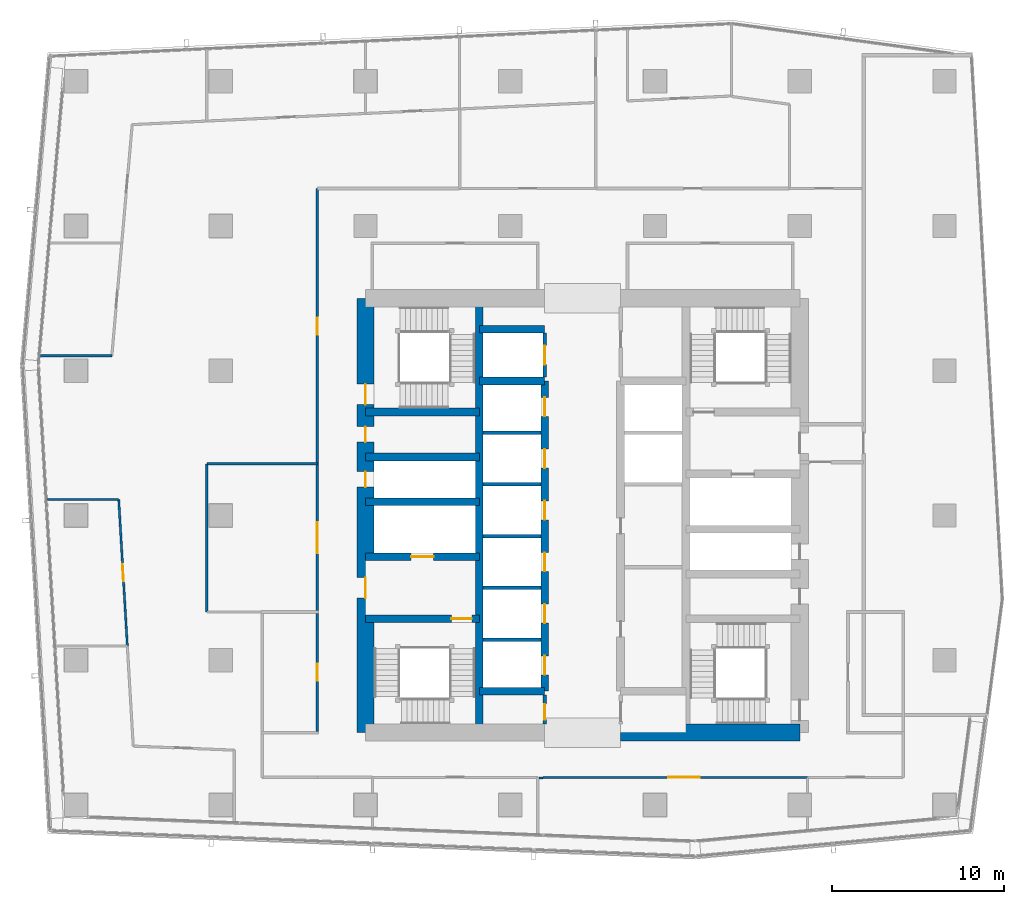
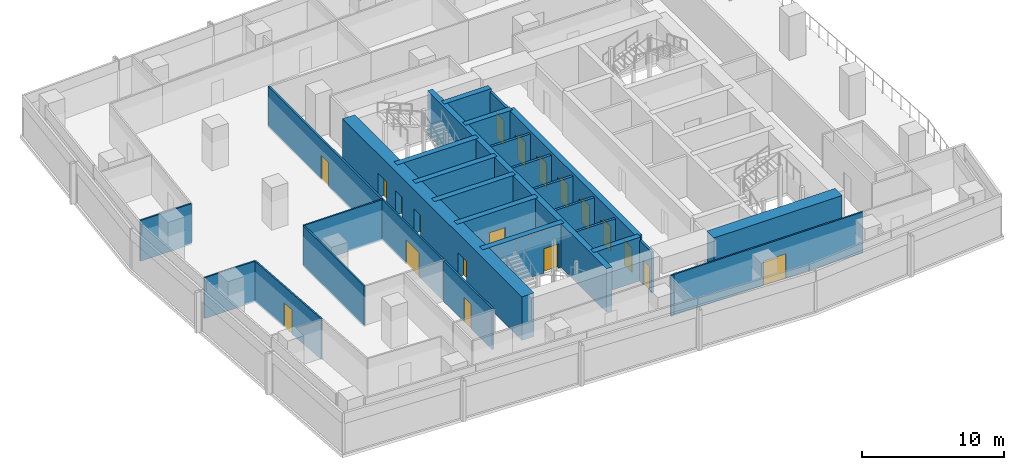
# One storey, part 23 of 33: 29 walls, 19 doors, 19 openings.
"""IFC4 building model written with IfcOpenShell, lengths in metres."""

from ifc_helpers import new_model, si_unit, direction, frame, frame_2d, origin, place, context, subcontext, project, spatial, rectangle, extrude, material, layer, layer_set, type_object, element, fill, save


model = new_model("IFC4")

# Units and contexts
model_context = context("Model", 3, precision=1e-05, world=origin(), true_north=direction((0.0, 1.0)))
body_context = subcontext(model_context, "Body", "Model", "MODEL_VIEW")
ifc_project = project(units=[si_unit("LENGTHUNIT", "METRE"), si_unit("AREAUNIT", "SQUARE_METRE"), si_unit("VOLUMEUNIT", "CUBIC_METRE"), si_unit("PLANEANGLEUNIT", "RADIAN"), si_unit("MASSUNIT", "GRAM", prefix="KILO")], contexts=[model_context])

# Site, building, storey
site_placement = place(None, origin())
site = spatial("IfcSite", under=ifc_project, at=site_placement, CompositionType="ELEMENT")
building_placement = place(site_placement, origin())
building = spatial("IfcBuilding", under=site, at=building_placement, Name="Rekha Terrace Tower", CompositionType="ELEMENT")
storey_placement = place(building_placement, frame((0.0, 0.0, 206.449951171875)))
storey = spatial("IfcBuildingStorey", under=building, at=storey_placement, Name="L52", CompositionType="ELEMENT", Elevation=206.449951171875)

# Wall
ifc_material_1 = material(Name="Concrete M60", Category="concrete")
ifc_layer_1 = layer(ifc_material_1, 0.449951171875)
ifc_layer_set_1 = layer_set([ifc_layer_1], Name="Concrete M60")
wall_type_1 = type_object("IfcWallType", Name="CI3 450 core internal shear wall", PredefinedType="SHEAR", material=ifc_layer_set_1)
wall_1_placement = place(storey_placement, frame((31.800048828125, 21.0, 0.0), z_axis=(0.0, 0.0, 1.0), x_axis=(0.0, 1.0, 0.0)))
element("IfcWall", 1, at=wall_1_placement, inside=storey, type_object=wall_type_1, Name="Core wall X318 L52", PredefinedType="SHEAR", context=body_context, shape_type="SweptSolid", body=[
    extrude(rectangle(XDim=25.199951171875, YDim=0.449951171875, at=frame_2d((12.60009765625, 0.0))), origin(), (0.0, 0.0, 1.0), 3.75),
])

# Wall, openings, doors
wall_2_placement = place(storey_placement, frame((35.60009765625, 23.39990234375, 0.0), z_axis=(0.0, 0.0, 1.0), x_axis=(0.0, 1.0, 0.0)))
wall_2 = element("IfcWall", 2, at=wall_2_placement, inside=storey, type_object=wall_type_1, Name="Core wall X356 L52", PredefinedType="SHEAR", context=body_context, shape_type="SweptSolid", body=[
    extrude(rectangle(XDim=18.0, YDim=0.449951171875, at=frame_2d((9.0, 0.0))), origin(), (0.0, 0.0, 1.0), 3.75),
])
opening_1_placement = place(wall_2_placement, frame((0.949951171875, 0.0, 0.0)))
opening_1 = element("IfcOpeningElement", 3, at=opening_1_placement, cuts=wall_2, Name="Opening LD1", PredefinedType="OPENING", context=body_context, shape_type="SweptSolid", body=[
    extrude(rectangle(XDim=1.10009765625, YDim=2.10009765625, at=frame_2d((0.550048828125, 1.050048828125))), frame((0.0, 0.23486328125, 0.0), z_axis=(0.0, -1.0, 0.0), x_axis=(1.0, 0.0, 0.0)), (0.0, 0.0, 1.0), 0.469970703125),
])
opening_2_placement = place(wall_2_placement, frame((3.949951171875, 0.0, 0.0)))
opening_2 = element("IfcOpeningElement", 4, at=opening_2_placement, cuts=wall_2, Name="Opening LD1", PredefinedType="OPENING", context=body_context, shape_type="SweptSolid", body=[
    extrude(rectangle(XDim=1.10009765625, YDim=2.10009765625, at=frame_2d((0.550048828125, 1.050048828125))), frame((0.0, 0.23486328125, 0.0), z_axis=(0.0, -1.0, 0.0), x_axis=(1.0, 0.0, 0.0)), (0.0, 0.0, 1.0), 0.469970703125),
])
opening_3_placement = place(wall_2_placement, frame((6.949951171875, 0.0, 0.0)))
opening_3 = element("IfcOpeningElement", 5, at=opening_3_placement, cuts=wall_2, Name="Opening LD1", PredefinedType="OPENING", context=body_context, shape_type="SweptSolid", body=[
    extrude(rectangle(XDim=1.10009765625, YDim=2.10009765625, at=frame_2d((0.550048828125, 1.050048828125))), frame((0.0, 0.23486328125, 0.0), z_axis=(0.0, -1.0, 0.0), x_axis=(1.0, 0.0, 0.0)), (0.0, 0.0, 1.0), 0.469970703125),
])
opening_4_placement = place(wall_2_placement, frame((9.949951171875, 0.0, 0.0)))
opening_4 = element("IfcOpeningElement", 6, at=opening_4_placement, cuts=wall_2, Name="Opening LD1", PredefinedType="OPENING", context=body_context, shape_type="SweptSolid", body=[
    extrude(rectangle(XDim=1.10009765625, YDim=2.10009765625, at=frame_2d((0.550048828125, 1.050048828125))), frame((0.0, 0.23486328125, 0.0), z_axis=(0.0, -1.0, 0.0), x_axis=(1.0, 0.0, 0.0)), (0.0, 0.0, 1.0), 0.469970703125),
])
opening_5_placement = place(wall_2_placement, frame((12.949951171875, 0.0, 0.0)))
opening_5 = element("IfcOpeningElement", 7, at=opening_5_placement, cuts=wall_2, Name="Opening LD1", PredefinedType="OPENING", context=body_context, shape_type="SweptSolid", body=[
    extrude(rectangle(XDim=1.10009765625, YDim=2.10009765625, at=frame_2d((0.550048828125, 1.050048828125))), frame((0.0, 0.23486328125, 0.0), z_axis=(0.0, -1.0, 0.0), x_axis=(1.0, 0.0, 0.0)), (0.0, 0.0, 1.0), 0.469970703125),
])
opening_6_placement = place(wall_2_placement, frame((15.949951171875, 0.0, 0.0)))
opening_6 = element("IfcOpeningElement", 8, at=opening_6_placement, cuts=wall_2, Name="Opening LD1", PredefinedType="OPENING", context=body_context, shape_type="SweptSolid", body=[
    extrude(rectangle(XDim=1.10009765625, YDim=2.10009765625, at=frame_2d((0.550048828125, 1.050048828125))), frame((0.0, 0.23486328125, 0.0), z_axis=(0.0, -1.0, 0.0), x_axis=(1.0, 0.0, 0.0)), (0.0, 0.0, 1.0), 0.469970703125),
])
ifc_material_2 = material(Name="Stainless steel sliding landing door", Category="steel")
door_type_1 = type_object("IfcDoorType", Name="LD1 1100x2100 lift landing door", OperationType="SLIDING_TO_LEFT", PredefinedType="USERDEFINED", material=ifc_material_2)
door_1_placement = place(opening_1_placement, origin())
door_1 = element("IfcDoor", 9, at=door_1_placement, inside=storey, type_object=door_type_1, Name="Lift C1 landing door L52", ObjectType="LIFT LANDING DOOR", OperationType="SLIDING_TO_LEFT", OverallHeight=2.10009765625, OverallWidth=1.10009765625, PredefinedType="USERDEFINED", context=body_context, shape_type="SweptSolid", body=[
    extrude(rectangle(XDim=1.10009765625, YDim=2.10009765625, at=frame_2d((0.550048828125, 1.050048828125))), frame((0.0, 0.02490234375, 0.0), z_axis=(0.0, -1.0, 0.0), x_axis=(1.0, 0.0, 0.0)), (0.0, 0.0, 1.0), 0.050048828125),
])
fill(opening_1, door_1)
door_2_placement = place(opening_2_placement, origin())
door_2 = element("IfcDoor", 10, at=door_2_placement, inside=storey, type_object=door_type_1, Name="Lift C2 landing door L52", ObjectType="LIFT LANDING DOOR", OperationType="SLIDING_TO_LEFT", OverallHeight=2.10009765625, OverallWidth=1.10009765625, PredefinedType="USERDEFINED", context=body_context, shape_type="SweptSolid", body=[
    extrude(rectangle(XDim=1.10009765625, YDim=2.10009765625, at=frame_2d((0.550048828125, 1.050048828125))), frame((0.0, 0.02490234375, 0.0), z_axis=(0.0, -1.0, 0.0), x_axis=(1.0, 0.0, 0.0)), (0.0, 0.0, 1.0), 0.050048828125),
])
fill(opening_2, door_2)
door_3_placement = place(opening_3_placement, origin())
door_3 = element("IfcDoor", 11, at=door_3_placement, inside=storey, type_object=door_type_1, Name="Lift C3 landing door L52", ObjectType="LIFT LANDING DOOR", OperationType="SLIDING_TO_LEFT", OverallHeight=2.10009765625, OverallWidth=1.10009765625, PredefinedType="USERDEFINED", context=body_context, shape_type="SweptSolid", body=[
    extrude(rectangle(XDim=1.10009765625, YDim=2.10009765625, at=frame_2d((0.550048828125, 1.050048828125))), frame((0.0, 0.02490234375, 0.0), z_axis=(0.0, -1.0, 0.0), x_axis=(1.0, 0.0, 0.0)), (0.0, 0.0, 1.0), 0.050048828125),
])
fill(opening_3, door_3)
door_4_placement = place(opening_4_placement, origin())
door_4 = element("IfcDoor", 12, at=door_4_placement, inside=storey, type_object=door_type_1, Name="Lift C4 landing door L52", ObjectType="LIFT LANDING DOOR", OperationType="SLIDING_TO_LEFT", OverallHeight=2.10009765625, OverallWidth=1.10009765625, PredefinedType="USERDEFINED", context=body_context, shape_type="SweptSolid", body=[
    extrude(rectangle(XDim=1.10009765625, YDim=2.10009765625, at=frame_2d((0.550048828125, 1.050048828125))), frame((0.0, 0.02490234375, 0.0), z_axis=(0.0, -1.0, 0.0), x_axis=(1.0, 0.0, 0.0)), (0.0, 0.0, 1.0), 0.050048828125),
])
fill(opening_4, door_4)
door_5_placement = place(opening_5_placement, origin())
door_5 = element("IfcDoor", 13, at=door_5_placement, inside=storey, type_object=door_type_1, Name="Lift C5 landing door L52", ObjectType="LIFT LANDING DOOR", OperationType="SLIDING_TO_LEFT", OverallHeight=2.10009765625, OverallWidth=1.10009765625, PredefinedType="USERDEFINED", context=body_context, shape_type="SweptSolid", body=[
    extrude(rectangle(XDim=1.10009765625, YDim=2.10009765625, at=frame_2d((0.550048828125, 1.050048828125))), frame((0.0, 0.02490234375, 0.0), z_axis=(0.0, -1.0, 0.0), x_axis=(1.0, 0.0, 0.0)), (0.0, 0.0, 1.0), 0.050048828125),
])
fill(opening_5, door_5)
door_6_placement = place(opening_6_placement, origin())
door_6 = element("IfcDoor", 14, at=door_6_placement, inside=storey, type_object=door_type_1, Name="Lift C6 landing door L52", ObjectType="LIFT LANDING DOOR", OperationType="SLIDING_TO_LEFT", OverallHeight=2.10009765625, OverallWidth=1.10009765625, PredefinedType="USERDEFINED", context=body_context, shape_type="SweptSolid", body=[
    extrude(rectangle(XDim=1.10009765625, YDim=2.10009765625, at=frame_2d((0.550048828125, 1.050048828125))), frame((0.0, 0.02490234375, 0.0), z_axis=(0.0, -1.0, 0.0), x_axis=(1.0, 0.0, 0.0)), (0.0, 0.0, 1.0), 0.050048828125),
])
fill(opening_6, door_6)

# Walls
for number, where, z_axis, x_axis, name in (
    (15, (31.800048828125, 23.39990234375, 0.0), (0.0, 0.0, 1.0), (1.0, 0.0, 0.0), "Core wall Y234W L52"),
    (16, (31.800048828125, 41.39990234375, 0.0), (0.0, 0.0, 1.0), (1.0, 0.0, 0.0), "Core wall Y414W L52"),
    (17, (31.800048828125, 44.39990234375, 0.0), (0.0, 0.0, 1.0), (1.0, 0.0, 0.0), "Core wall Y444W L52"),
):
    element("IfcWall", number, at=place(storey_placement, frame(where, z_axis=z_axis, x_axis=x_axis)), inside=storey, type_object=wall_type_1, Name=name, PredefinedType="SHEAR", context=body_context, shape_type="SweptSolid", body=[
        extrude(rectangle(XDim=3.800048828125, YDim=0.449951171875, at=frame_2d((1.89990234375, 0.0))), origin(), (0.0, 0.0, 1.0), 3.75),
    ])

# Wall, opening, door
wall_3_placement = place(storey_placement, frame((25.199951171875, 27.60009765625, 0.0), z_axis=(0.0, 0.0, 1.0), x_axis=(1.0, 0.0, 0.0)))
wall_3 = element("IfcWall", 18, at=wall_3_placement, inside=storey, type_object=wall_type_1, Name="Core wall Y276W L52", PredefinedType="SHEAR", context=body_context, shape_type="SweptSolid", body=[
    extrude(rectangle(XDim=6.60009765625, YDim=0.449951171875, at=frame_2d((3.300048828125, 0.0))), origin(), (0.0, 0.0, 1.0), 3.75),
])
opening_7_placement = place(wall_3_placement, frame((4.97509765625, 0.0, 0.0)))
opening_7 = element("IfcOpeningElement", 19, at=opening_7_placement, cuts=wall_3, Name="Opening D1", PredefinedType="OPENING", context=body_context, shape_type="SweptSolid", body=[
    extrude(rectangle(XDim=1.199951171875, YDim=2.10009765625, at=frame_2d((0.60009765625, 1.050048828125))), frame((0.0, 0.23486328125, 0.0), z_axis=(0.0, -1.0, 0.0), x_axis=(1.0, 0.0, 0.0)), (0.0, 0.0, 1.0), 0.469970703125),
])
ifc_material_3 = material(Name="Steel fire door", Category="steel")
door_type_2 = type_object("IfcDoorType", Name="D1 1200x2100 stair fire door", OperationType="SINGLE_SWING_RIGHT", PredefinedType="DOOR", material=ifc_material_3)
door_7_placement = place(opening_7_placement, origin())
door_7 = element("IfcDoor", 20, at=door_7_placement, inside=storey, type_object=door_type_2, Name="Stair ST1 door L52", OperationType="SINGLE_SWING_RIGHT", OverallHeight=2.10009765625, OverallWidth=1.199951171875, PredefinedType="DOOR", context=body_context, shape_type="SweptSolid", body=[
    extrude(rectangle(XDim=1.199951171875, YDim=2.10009765625, at=frame_2d((0.60009765625, 1.050048828125))), frame((0.0, 0.02490234375, 0.0), z_axis=(0.0, -1.0, 0.0), x_axis=(1.0, 0.0, 0.0)), (0.0, 0.0, 1.0), 0.050048828125),
])
fill(opening_7, door_7)

wall_4_placement = place(storey_placement, frame((25.199951171875, 31.199951171875, 0.0), z_axis=(0.0, 0.0, 1.0), x_axis=(1.0, 0.0, 0.0)))
wall_4 = element("IfcWall", 21, at=wall_4_placement, inside=storey, type_object=wall_type_1, Name="Core wall Y312W L52", PredefinedType="SHEAR", context=body_context, shape_type="SweptSolid", body=[
    extrude(rectangle(XDim=6.60009765625, YDim=0.449951171875, at=frame_2d((3.300048828125, 0.0))), origin(), (0.0, 0.0, 1.0), 3.75),
])
opening_8_placement = place(wall_4_placement, frame((2.64990234375, 0.0, 0.0)))
opening_8 = element("IfcOpeningElement", 22, at=opening_8_placement, cuts=wall_4, Name="Opening LD2", PredefinedType="OPENING", context=body_context, shape_type="SweptSolid", body=[
    extrude(rectangle(XDim=1.300048828125, YDim=2.10009765625, at=frame_2d((0.64990234375, 1.050048828125))), frame((0.0, 0.23486328125, 0.0), z_axis=(0.0, -1.0, 0.0), x_axis=(1.0, 0.0, 0.0)), (0.0, 0.0, 1.0), 0.469970703125),
])
door_type_3 = type_object("IfcDoorType", Name="LD2 1300x2100 fire lift landing door", OperationType="SLIDING_TO_LEFT", PredefinedType="USERDEFINED", material=ifc_material_2)
door_8_placement = place(opening_8_placement, origin())
door_8 = element("IfcDoor", 23, at=door_8_placement, inside=storey, type_object=door_type_3, Name="Lift FL1 landing door L52", ObjectType="LIFT LANDING DOOR", OperationType="SLIDING_TO_LEFT", OverallHeight=2.10009765625, OverallWidth=1.300048828125, PredefinedType="USERDEFINED", context=body_context, shape_type="SweptSolid", body=[
    extrude(rectangle(XDim=1.300048828125, YDim=2.10009765625, at=frame_2d((0.64990234375, 1.050048828125))), frame((0.0, 0.02490234375, 0.0), z_axis=(0.0, -1.0, 0.0), x_axis=(1.0, 0.0, 0.0)), (0.0, 0.0, 1.0), 0.050048828125),
])
fill(opening_8, door_8)

# Walls
for number, where, z_axis, x_axis, name in (
    (24, (25.199951171875, 34.39990234375, 0.0), (0.0, 0.0, 1.0), (1.0, 0.0, 0.0), "Core wall Y344W L52"),
    (25, (25.199951171875, 37.0, 0.0), (0.0, 0.0, 1.0), (1.0, 0.0, 0.0), "Core wall Y370W L52"),
    (26, (25.199951171875, 39.60009765625, 0.0), (0.0, 0.0, 1.0), (1.0, 0.0, 0.0), "Core wall Y396W L52"),
):
    element("IfcWall", number, at=place(storey_placement, frame(where, z_axis=z_axis, x_axis=x_axis)), inside=storey, type_object=wall_type_1, Name=name, PredefinedType="SHEAR", context=body_context, shape_type="SweptSolid", body=[
        extrude(rectangle(XDim=6.60009765625, YDim=0.449951171875, at=frame_2d((3.300048828125, 0.0))), origin(), (0.0, 0.0, 1.0), 3.75),
    ])
ifc_layer_2 = layer(ifc_material_1, 1.0)
ifc_layer_set_2 = layer_set([ifc_layer_2], Name="Concrete M60")
wall_type_2 = type_object("IfcWallType", Name="SW3 1000 core outer shear wall", PredefinedType="SHEAR", material=ifc_layer_set_2)
wall_5_placement = place(storey_placement, frame((40.0, 21.0, 0.0), z_axis=(0.0, 0.0, 1.0), x_axis=(1.0, 0.0, 0.0)))
element("IfcWall", 27, at=wall_5_placement, inside=storey, type_object=wall_type_2, Name="Core wall S2 L52", PredefinedType="SHEAR", context=body_context, shape_type="SweptSolid", body=[
    extrude(rectangle(XDim=10.39990234375, YDim=1.0, at=frame_2d((5.199951171875, 0.0))), origin(), (0.0, 0.0, 1.0), 3.75),
])

# Wall, openings, doors
wall_6_placement = place(storey_placement, frame((25.199951171875, 21.0, 0.0), z_axis=(0.0, 0.0, 1.0), x_axis=(0.0, 1.0, 0.0)))
wall_6 = element("IfcWall", 28, at=wall_6_placement, inside=storey, type_object=wall_type_2, Name="Core wall W L52", PredefinedType="SHEAR", context=body_context, shape_type="SweptSolid", body=[
    extrude(rectangle(XDim=25.199951171875, YDim=1.0, at=frame_2d((12.60009765625, 0.0))), origin(), (0.0, 0.0, 1.0), 3.75),
])
opening_9_placement = place(wall_6_placement, frame((7.800048828125, 0.0, 0.0)))
opening_9 = element("IfcOpeningElement", 29, at=opening_9_placement, cuts=wall_6, Name="Opening D2", PredefinedType="OPENING", context=body_context, shape_type="SweptSolid", body=[
    extrude(rectangle(XDim=1.199951171875, YDim=2.10009765625, at=frame_2d((0.60009765625, 1.050048828125))), frame((0.0, 0.510009765625, 0.0), z_axis=(0.0, -1.0, 0.0), x_axis=(1.0, 0.0, 0.0)), (0.0, 0.0, 1.0), 1.02001953125),
])
opening_10_placement = place(wall_6_placement, frame((14.25, 0.0, 0.0)))
opening_10 = element("IfcOpeningElement", 30, at=opening_10_placement, cuts=wall_6, Name="Opening D5", PredefinedType="OPENING", context=body_context, shape_type="SweptSolid", body=[
    extrude(rectangle(XDim=0.89990234375, YDim=2.10009765625, at=frame_2d((0.449951171875, 1.050048828125))), frame((0.0, 0.510009765625, 0.0), z_axis=(0.0, -1.0, 0.0), x_axis=(1.0, 0.0, 0.0)), (0.0, 0.0, 1.0), 1.02001953125),
])
opening_11_placement = place(wall_6_placement, frame((16.85009765625, 0.0, 0.0)))
opening_11 = element("IfcOpeningElement", 31, at=opening_11_placement, cuts=wall_6, Name="Opening D5", PredefinedType="OPENING", context=body_context, shape_type="SweptSolid", body=[
    extrude(rectangle(XDim=0.89990234375, YDim=2.10009765625, at=frame_2d((0.449951171875, 1.050048828125))), frame((0.0, 0.510009765625, 0.0), z_axis=(0.0, -1.0, 0.0), x_axis=(1.0, 0.0, 0.0)), (0.0, 0.0, 1.0), 1.02001953125),
])
opening_12_placement = place(wall_6_placement, frame((19.02490234375, 0.0, 0.0)))
opening_12 = element("IfcOpeningElement", 32, at=opening_12_placement, cuts=wall_6, Name="Opening D1", PredefinedType="OPENING", context=body_context, shape_type="SweptSolid", body=[
    extrude(rectangle(XDim=1.199951171875, YDim=2.10009765625, at=frame_2d((0.60009765625, 1.050048828125))), frame((0.0, 0.510009765625, 0.0), z_axis=(0.0, -1.0, 0.0), x_axis=(1.0, 0.0, 0.0)), (0.0, 0.0, 1.0), 1.02001953125),
])
door_9_placement = place(opening_12_placement, origin())
door_9 = element("IfcDoor", 33, at=door_9_placement, inside=storey, type_object=door_type_2, Name="Stair ST4 door L52", OperationType="SINGLE_SWING_RIGHT", OverallHeight=2.10009765625, OverallWidth=1.199951171875, PredefinedType="DOOR", context=body_context, shape_type="SweptSolid", body=[
    extrude(rectangle(XDim=1.199951171875, YDim=2.10009765625, at=frame_2d((0.60009765625, 1.050048828125))), frame((0.0, 0.02490234375, 0.0), z_axis=(0.0, -1.0, 0.0), x_axis=(1.0, 0.0, 0.0)), (0.0, 0.0, 1.0), 0.050048828125),
])
fill(opening_12, door_9)
door_type_4 = type_object("IfcDoorType", Name="D2 1200x2100 firefighting lobby door", OperationType="SINGLE_SWING_LEFT", PredefinedType="DOOR", material=ifc_material_3)
door_10_placement = place(opening_9_placement, origin())
door_10 = element("IfcDoor", 34, at=door_10_placement, inside=storey, type_object=door_type_4, Name="Door flb1 L52", OperationType="SINGLE_SWING_LEFT", OverallHeight=2.10009765625, OverallWidth=1.199951171875, PredefinedType="DOOR", context=body_context, shape_type="SweptSolid", body=[
    extrude(rectangle(XDim=1.199951171875, YDim=2.10009765625, at=frame_2d((0.60009765625, 1.050048828125))), frame((0.0, 0.02490234375, 0.0), z_axis=(0.0, -1.0, 0.0), x_axis=(1.0, 0.0, 0.0)), (0.0, 0.0, 1.0), 0.050048828125),
])
fill(opening_9, door_10)
door_type_5 = type_object("IfcDoorType", Name="D5 900x2100 riser access door", OperationType="SINGLE_SWING_LEFT", PredefinedType="DOOR", material=ifc_material_3)
door_11_placement = place(opening_10_placement, origin())
door_11 = element("IfcDoor", 35, at=door_11_placement, inside=storey, type_object=door_type_5, Name="Door rs1 L52", OperationType="SINGLE_SWING_LEFT", OverallHeight=2.10009765625, OverallWidth=0.89990234375, PredefinedType="DOOR", context=body_context, shape_type="SweptSolid", body=[
    extrude(rectangle(XDim=0.89990234375, YDim=2.10009765625, at=frame_2d((0.449951171875, 1.050048828125))), frame((0.0, 0.02490234375, 0.0), z_axis=(0.0, -1.0, 0.0), x_axis=(1.0, 0.0, 0.0)), (0.0, 0.0, 1.0), 0.050048828125),
])
fill(opening_10, door_11)
door_12_placement = place(opening_11_placement, origin())
door_12 = element("IfcDoor", 36, at=door_12_placement, inside=storey, type_object=door_type_5, Name="Door elw L52", OperationType="SINGLE_SWING_LEFT", OverallHeight=2.10009765625, OverallWidth=0.89990234375, PredefinedType="DOOR", context=body_context, shape_type="SweptSolid", body=[
    extrude(rectangle(XDim=0.89990234375, YDim=2.10009765625, at=frame_2d((0.449951171875, 1.050048828125))), frame((0.0, 0.02490234375, 0.0), z_axis=(0.0, -1.0, 0.0), x_axis=(1.0, 0.0, 0.0)), (0.0, 0.0, 1.0), 0.050048828125),
])
fill(opening_11, door_12)

# Wall, opening, door
ifc_material_4 = material(Name="Concrete block masonry, 1 hour", Category="masonry")
ifc_layer_3 = layer(ifc_material_4, 0.14990234375)
ifc_layer_set_3 = layer_set([ifc_layer_3], Name="Concrete block masonry, 1 hour")
wall_type_3 = type_object("IfcWallType", Name="WP2 150 tenancy partition", PredefinedType="PARTITIONING", material=ifc_layer_set_3)
wall_7_placement = place(storey_placement, frame((22.39990234375, 21.074951171875, 0.0), z_axis=(0.0, 0.0, 1.0), x_axis=(0.0, 1.0, 0.0)))
wall_7 = element("IfcWall", 37, at=wall_7_placement, inside=storey, type_object=wall_type_3, Name="Men's WC wall L52", PredefinedType="PARTITIONING", context=body_context, shape_type="SweptSolid", body=[
    extrude(rectangle(XDim=6.85009765625, YDim=0.14990234375, at=frame_2d((3.425048828125, 0.0))), origin(), (0.0, 0.0, 1.0), 3.5),
])
opening_13_placement = place(wall_7_placement, frame((2.925048828125, 0.0, 0.0)))
opening_13 = element("IfcOpeningElement", 38, at=opening_13_placement, cuts=wall_7, Name="Opening D3", PredefinedType="OPENING", context=body_context, shape_type="SweptSolid", body=[
    extrude(rectangle(XDim=1.0, YDim=2.10009765625, at=frame_2d((0.5, 1.050048828125))), frame((0.0, 0.0849609375, 0.0), z_axis=(0.0, -1.0, 0.0), x_axis=(1.0, 0.0, 0.0)), (0.0, 0.0, 1.0), 0.169921875),
])
ifc_material_5 = material(Name="Laminated timber fire door", Category="wood")
door_type_6 = type_object("IfcDoorType", Name="D3 1000x2100 WC door", OperationType="SINGLE_SWING_LEFT", PredefinedType="DOOR", material=ifc_material_5)
door_13_placement = place(opening_13_placement, origin())
door_13 = element("IfcDoor", 39, at=door_13_placement, inside=storey, type_object=door_type_6, Name="Door men's wc L52", OperationType="SINGLE_SWING_LEFT", OverallHeight=2.10009765625, OverallWidth=1.0, PredefinedType="DOOR", context=body_context, shape_type="SweptSolid", body=[
    extrude(rectangle(XDim=1.0, YDim=2.10009765625, at=frame_2d((0.5, 1.050048828125))), frame((0.0, 0.02490234375, 0.0), z_axis=(0.0, -1.0, 0.0), x_axis=(1.0, 0.0, 0.0)), (0.0, 0.0, 1.0), 0.050048828125),
])
fill(opening_13, door_13)

wall_8_placement = place(storey_placement, frame((22.39990234375, 52.574951171875, 0.0), z_axis=(0.0, 0.0, 1.0), x_axis=(0.0, -1.0, 0.0)))
wall_8 = element("IfcWall", 40, at=wall_8_placement, inside=storey, type_object=wall_type_3, Name="Partition L52-O2", PredefinedType="PARTITIONING", context=body_context, shape_type="SweptSolid", body=[
    extrude(rectangle(XDim=15.975830078125, YDim=0.14990234375, at=frame_2d((7.98779296875, 0.0))), origin(), (0.0, 0.0, 1.0), 3.5),
])
opening_14_placement = place(wall_8_placement, frame((7.488037109375, 0.0, 0.0)))
opening_14 = element("IfcOpeningElement", 41, at=opening_14_placement, cuts=wall_8, Name="Opening D9", PredefinedType="OPENING", context=body_context, shape_type="SweptSolid", body=[
    extrude(rectangle(XDim=1.0, YDim=2.10009765625, at=frame_2d((0.5, 1.050048828125))), frame((0.0, 0.0849609375, 0.0), z_axis=(0.0, -1.0, 0.0), x_axis=(1.0, 0.0, 0.0)), (0.0, 0.0, 1.0), 0.169921875),
])
ifc_material_6 = material(Name="Timber fire door", Category="wood")
door_type_7 = type_object("IfcDoorType", Name="D9 1000x2100 office door", OperationType="SINGLE_SWING_LEFT", PredefinedType="DOOR", material=ifc_material_6)
door_14_placement = place(opening_14_placement, origin())
door_14 = element("IfcDoor", 42, at=door_14_placement, inside=storey, type_object=door_type_7, Name="Door open-plan office L52", OperationType="SINGLE_SWING_LEFT", OverallHeight=2.10009765625, OverallWidth=1.0, PredefinedType="DOOR", context=body_context, shape_type="SweptSolid", body=[
    extrude(rectangle(XDim=1.0, YDim=2.10009765625, at=frame_2d((0.5, 1.050048828125))), frame((0.0, 0.02490234375, 0.0), z_axis=(0.0, -1.0, 0.0), x_axis=(1.0, 0.0, 0.0)), (0.0, 0.0, 1.0), 0.050048828125),
])
fill(opening_14, door_14)

# Walls
ifc_material_7 = material(Name="Two layers of fire-rated gypsum board each side on steel studs, acoustic quilt, 1 hour", Category="steel")
ifc_layer_4 = layer(ifc_material_7, 0.125)
ifc_layer_set_4 = layer_set([ifc_layer_4], Name="Two layers of fire-rated gypsum board each side on steel studs, acoustic quilt, 1 hour")
wall_type_4 = type_object("IfcWallType", Name="WP3 125 office partition", PredefinedType="PARTITIONING", material=ifc_layer_set_4)
wall_9_placement = place(storey_placement, frame((10.47900390625, 42.87109375, 0.0), z_axis=(0.0, 0.0, 1.0), x_axis=(-1.0, 0.0, 0.0)))
element("IfcWall", 43, at=wall_9_placement, inside=storey, type_object=wall_type_4, Name="Partition L52-08", PredefinedType="PARTITIONING", context=body_context, shape_type="SweptSolid", body=[
    extrude(rectangle(XDim=4.136962890625, YDim=0.125, at=frame_2d((2.068359375, 0.0))), origin(), (0.0, 0.0, 1.0), 3.5),
])
wall_10_placement = place(storey_placement, frame((6.720947265625, 34.535888671875, 0.0), z_axis=(0.0, 0.0, 1.0), x_axis=(1.0, 0.0, 0.0)))
element("IfcWall", 44, at=wall_10_placement, inside=storey, type_object=wall_type_4, Name="Partition L52-09", PredefinedType="PARTITIONING", context=body_context, shape_type="SweptSolid", body=[
    extrude(rectangle(XDim=4.156982421875, YDim=0.125, at=frame_2d((2.07861328125, 0.0))), origin(), (0.0, 0.0, 1.0), 3.5),
])

# Wall, opening, door
wall_11_placement = place(storey_placement, frame((10.8779296875, 34.535888671875, 0.0), z_axis=(0.0, 0.0, 1.0), x_axis=(0.058753912615, -0.998272496742, 0.0)))
wall_11 = element("IfcWall", 45, at=wall_11_placement, inside=storey, type_object=wall_type_4, Name="Partition L52-09", PredefinedType="PARTITIONING", context=body_context, shape_type="SweptSolid", body=[
    extrude(rectangle(XDim=8.526611328125, YDim=0.125, at=frame_2d((4.26318359375, 0.0))), origin(), (0.0, 0.0, 1.0), 3.5),
])
opening_15_placement = place(wall_11_placement, frame((3.762939453125, 0.0, 0.0)))
opening_15 = element("IfcOpeningElement", 46, at=opening_15_placement, cuts=wall_11, Name="Opening D9", PredefinedType="OPENING", context=body_context, shape_type="SweptSolid", body=[
    extrude(rectangle(XDim=1.0, YDim=2.10009765625, at=frame_2d((0.5, 1.050048828125))), frame((0.0, 0.072509765625, 0.0), z_axis=(0.0, -1.0, 0.0), x_axis=(1.0, 0.0, 0.0)), (0.0, 0.0, 1.0), 0.14501953125),
])
door_15_placement = place(opening_15_placement, origin())
door_15 = element("IfcDoor", 47, at=door_15_placement, inside=storey, type_object=door_type_7, Name="Door wellness room L52", OperationType="SINGLE_SWING_LEFT", OverallHeight=2.10009765625, OverallWidth=1.0, PredefinedType="DOOR", context=body_context, shape_type="SweptSolid", body=[
    extrude(rectangle(XDim=1.0, YDim=2.10009765625, at=frame_2d((0.5, 1.050048828125))), frame((0.0, 0.02490234375, 0.0), z_axis=(0.0, -1.0, 0.0), x_axis=(1.0, 0.0, 0.0)), (0.0, 0.0, 1.0), 0.050048828125),
])
fill(opening_15, door_15)

# Walls
wall_12_placement = place(storey_placement, frame((15.989013671875, 28.0, 0.0), z_axis=(0.0, 0.0, 1.0), x_axis=(0.0, 1.0, 0.0)))
element("IfcWall", 48, at=wall_12_placement, inside=storey, type_object=wall_type_4, Name="Partition L52-12", PredefinedType="PARTITIONING", context=body_context, shape_type="SweptSolid", body=[
    extrude(rectangle(XDim=8.59912109375, YDim=0.125, at=frame_2d((4.299560546875, 0.0))), origin(), (0.0, 0.0, 1.0), 3.5),
])
wall_13_placement = place(storey_placement, frame((15.989013671875, 36.59912109375, 0.0), z_axis=(0.0, 0.0, 1.0), x_axis=(1.0, 0.0, 0.0)))
element("IfcWall", 49, at=wall_13_placement, inside=storey, type_object=wall_type_4, Name="Partition L52-12", PredefinedType="PARTITIONING", context=body_context, shape_type="SweptSolid", body=[
    extrude(rectangle(XDim=6.410888671875, YDim=0.125, at=frame_2d((3.20556640625, 0.0))), origin(), (0.0, 0.0, 1.0), 3.5),
])

# Wall, opening, door
wall_14_placement = place(storey_placement, frame((22.39990234375, 36.59912109375, 0.0), z_axis=(0.0, 0.0, 1.0), x_axis=(0.0, -1.0, 0.0)))
wall_14 = element("IfcWall", 50, at=wall_14_placement, inside=storey, type_object=wall_type_4, Name="Partition L52-12", PredefinedType="PARTITIONING", context=body_context, shape_type="SweptSolid", body=[
    extrude(rectangle(XDim=8.524169921875, YDim=0.125, at=frame_2d((4.26220703125, 0.0))), origin(), (0.0, 0.0, 1.0), 3.5),
])
opening_16_placement = place(wall_14_placement, frame((3.39990234375, 0.0, 0.0)))
opening_16 = element("IfcOpeningElement", 51, at=opening_16_placement, cuts=wall_14, Name="Opening D8", PredefinedType="OPENING", context=body_context, shape_type="SweptSolid", body=[
    extrude(rectangle(XDim=1.800048828125, YDim=2.10009765625, at=frame_2d((0.89990234375, 1.050048828125))), frame((0.0, 0.072509765625, 0.0), z_axis=(0.0, -1.0, 0.0), x_axis=(1.0, 0.0, 0.0)), (0.0, 0.0, 1.0), 0.14501953125),
])
door_type_8 = type_object("IfcDoorType", Name="D8 1800x2100 double leaf door", OperationType="DOUBLE_DOOR_SINGLE_SWING", PredefinedType="DOOR", material=ifc_material_6)
door_16_placement = place(opening_16_placement, origin())
door_16 = element("IfcDoor", 52, at=door_16_placement, inside=storey, type_object=door_type_8, Name="Door reception L52", OperationType="DOUBLE_DOOR_SINGLE_SWING", OverallHeight=2.10009765625, OverallWidth=1.800048828125, PredefinedType="DOOR", context=body_context, shape_type="SweptSolid", body=[
    extrude(rectangle(XDim=1.800048828125, YDim=2.10009765625, at=frame_2d((0.89990234375, 1.050048828125))), frame((0.0, 0.02490234375, 0.0), z_axis=(0.0, -1.0, 0.0), x_axis=(1.0, 0.0, 0.0)), (0.0, 0.0, 1.0), 0.050048828125),
])
fill(opening_16, door_16)

# Wall
wall_15_placement = place(storey_placement, frame((35.260986328125, 18.375, 0.0), z_axis=(0.0, 0.0, 1.0), x_axis=(1.0, 0.0, 0.0)))
element("IfcWall", 53, at=wall_15_placement, inside=storey, type_object=wall_type_4, Name="Partition L52-13", PredefinedType="PARTITIONING", context=body_context, shape_type="SweptSolid", body=[
    extrude(rectangle(XDim=0.2470703125, YDim=0.125, at=frame_2d((0.12353515625, 0.0))), origin(), (0.0, 0.0, 1.0), 3.5),
])

# Wall, opening, door
wall_16_placement = place(storey_placement, frame((35.508056640625, 18.39990234375, 0.0), z_axis=(0.0, 0.0, 1.0), x_axis=(1.0, 0.0, 0.0)))
wall_16 = element("IfcWall", 54, at=wall_16_placement, inside=storey, type_object=wall_type_4, Name="Partition L52-13", PredefinedType="PARTITIONING", context=body_context, shape_type="SweptSolid", body=[
    extrude(rectangle(XDim=15.345947265625, YDim=0.125, at=frame_2d((7.6728515625, 0.0))), origin(), (0.0, 0.0, 1.0), 3.5),
])
opening_17_placement = place(wall_16_placement, frame((7.27294921875, 0.0, 0.0)))
opening_17 = element("IfcOpeningElement", 55, at=opening_17_placement, cuts=wall_16, Name="Opening D8", PredefinedType="OPENING", context=body_context, shape_type="SweptSolid", body=[
    extrude(rectangle(XDim=1.800048828125, YDim=2.10009765625, at=frame_2d((0.89990234375, 1.050048828125))), frame((0.0, 0.072509765625, 0.0), z_axis=(0.0, -1.0, 0.0), x_axis=(1.0, 0.0, 0.0)), (0.0, 0.0, 1.0), 0.14501953125),
])
door_17_placement = place(opening_17_placement, origin())
door_17 = element("IfcDoor", 56, at=door_17_placement, inside=storey, type_object=door_type_8, Name="Door reference library L52", OperationType="DOUBLE_DOOR_SINGLE_SWING", OverallHeight=2.10009765625, OverallWidth=1.800048828125, PredefinedType="DOOR", context=body_context, shape_type="SweptSolid", body=[
    extrude(rectangle(XDim=1.800048828125, YDim=2.10009765625, at=frame_2d((0.89990234375, 1.050048828125))), frame((0.0, 0.02490234375, 0.0), z_axis=(0.0, -1.0, 0.0), x_axis=(1.0, 0.0, 0.0)), (0.0, 0.0, 1.0), 0.050048828125),
])
fill(opening_17, door_17)

# Walls
ifc_material_8 = material(Name="Solid concrete block masonry, 2 hour", Category="masonry")
ifc_layer_5 = layer(ifc_material_8, 0.199951171875)
ifc_layer_set_5 = layer_set([ifc_layer_5], Name="Solid concrete block masonry, 2 hour")
wall_type_5 = type_object("IfcWallType", Name="WS1 200 stair and shaft enclosure", PredefinedType="PARTITIONING", material=ifc_layer_set_5)
for number, where, z_axis, x_axis, name in (
    (57, (32.02490234375, 26.39990234375, 0.0), (0.0, 0.0, 1.0), (1.0, 0.0, 0.0), "Lift shaft divider L52"),
    (58, (32.02490234375, 29.39990234375, 0.0), (0.0, 0.0, 1.0), (1.0, 0.0, 0.0), "Lift shaft divider L52"),
    (59, (32.02490234375, 32.39990234375, 0.0), (0.0, 0.0, 1.0), (1.0, 0.0, 0.0), "Lift shaft divider L52"),
    (60, (32.02490234375, 35.39990234375, 0.0), (0.0, 0.0, 1.0), (1.0, 0.0, 0.0), "Lift shaft divider L52"),
    (61, (32.02490234375, 38.39990234375, 0.0), (0.0, 0.0, 1.0), (1.0, 0.0, 0.0), "Lift shaft divider L52"),
):
    element("IfcWall", number, at=place(storey_placement, frame(where, z_axis=z_axis, x_axis=x_axis)), inside=storey, type_object=wall_type_5, Name=name, PredefinedType="PARTITIONING", context=body_context, shape_type="SweptSolid", body=[
        extrude(rectangle(XDim=3.35009765625, YDim=0.199951171875, at=frame_2d((1.675048828125, 0.0))), origin(), (0.0, 0.0, 1.0), 3.5),
    ])

# Wall, opening, door
wall_17_placement = place(storey_placement, frame((35.60009765625, 41.625, 0.0), z_axis=(0.0, 0.0, 1.0), x_axis=(0.0, 1.0, 0.0)))
wall_17 = element("IfcWall", 62, at=wall_17_placement, inside=storey, type_object=wall_type_5, Name="Core partition jansv L52", PredefinedType="PARTITIONING", context=body_context, shape_type="SweptSolid", body=[
    extrude(rectangle(XDim=2.550048828125, YDim=0.199951171875, at=frame_2d((1.27490234375, 0.0))), origin(), (0.0, 0.0, 1.0), 3.5),
])
opening_18_placement = place(wall_17_placement, frame((0.72509765625, 0.0, 0.0)))
opening_18 = element("IfcOpeningElement", 63, at=opening_18_placement, cuts=wall_17, Name="Opening LD1", PredefinedType="OPENING", context=body_context, shape_type="SweptSolid", body=[
    extrude(rectangle(XDim=1.10009765625, YDim=2.10009765625, at=frame_2d((0.550048828125, 1.050048828125))), frame((0.0, 0.10986328125, 0.0), z_axis=(0.0, -1.0, 0.0), x_axis=(1.0, 0.0, 0.0)), (0.0, 0.0, 1.0), 0.219970703125),
])
door_18_placement = place(opening_18_placement, origin())
door_18 = element("IfcDoor", 64, at=door_18_placement, inside=storey, type_object=door_type_1, Name="Lift SV1 landing door L52", ObjectType="LIFT LANDING DOOR", OperationType="SLIDING_TO_LEFT", OverallHeight=2.10009765625, OverallWidth=1.10009765625, PredefinedType="USERDEFINED", context=body_context, shape_type="SweptSolid", body=[
    extrude(rectangle(XDim=1.10009765625, YDim=2.10009765625, at=frame_2d((0.550048828125, 1.050048828125))), frame((0.0, 0.02490234375, 0.0), z_axis=(0.0, -1.0, 0.0), x_axis=(1.0, 0.0, 0.0)), (0.0, 0.0, 1.0), 0.050048828125),
])
fill(opening_18, door_18)

wall_18_placement = place(storey_placement, frame((35.60009765625, 21.5, 0.0), z_axis=(0.0, 0.0, 1.0), x_axis=(0.0, 1.0, 0.0)))
wall_18 = element("IfcWall", 65, at=wall_18_placement, inside=storey, type_object=wall_type_5, Name="Core partition west L52", PredefinedType="PARTITIONING", context=body_context, shape_type="SweptSolid", body=[
    extrude(rectangle(XDim=1.675048828125, YDim=0.199951171875, at=frame_2d((0.83740234375, 0.0))), origin(), (0.0, 0.0, 1.0), 3.5),
])
opening_19_placement = place(wall_18_placement, frame((0.25, 0.0, 0.0)))
opening_19 = element("IfcOpeningElement", 66, at=opening_19_placement, cuts=wall_18, Name="Opening D5", PredefinedType="OPENING", context=body_context, shape_type="SweptSolid", body=[
    extrude(rectangle(XDim=0.89990234375, YDim=2.10009765625, at=frame_2d((0.449951171875, 1.050048828125))), frame((0.0, 0.10986328125, 0.0), z_axis=(0.0, -1.0, 0.0), x_axis=(1.0, 0.0, 0.0)), (0.0, 0.0, 1.0), 0.219970703125),
])
door_19_placement = place(opening_19_placement, origin())
door_19 = element("IfcDoor", 67, at=door_19_placement, inside=storey, type_object=door_type_5, Name="Door it comms room L52", OperationType="SINGLE_SWING_LEFT", OverallHeight=2.10009765625, OverallWidth=0.89990234375, PredefinedType="DOOR", context=body_context, shape_type="SweptSolid", body=[
    extrude(rectangle(XDim=0.89990234375, YDim=2.10009765625, at=frame_2d((0.449951171875, 1.050048828125))), frame((0.0, 0.02490234375, 0.0), z_axis=(0.0, -1.0, 0.0), x_axis=(1.0, 0.0, 0.0)), (0.0, 0.0, 1.0), 0.050048828125),
])
fill(opening_19, door_19)

save(model, "model.ifc")
